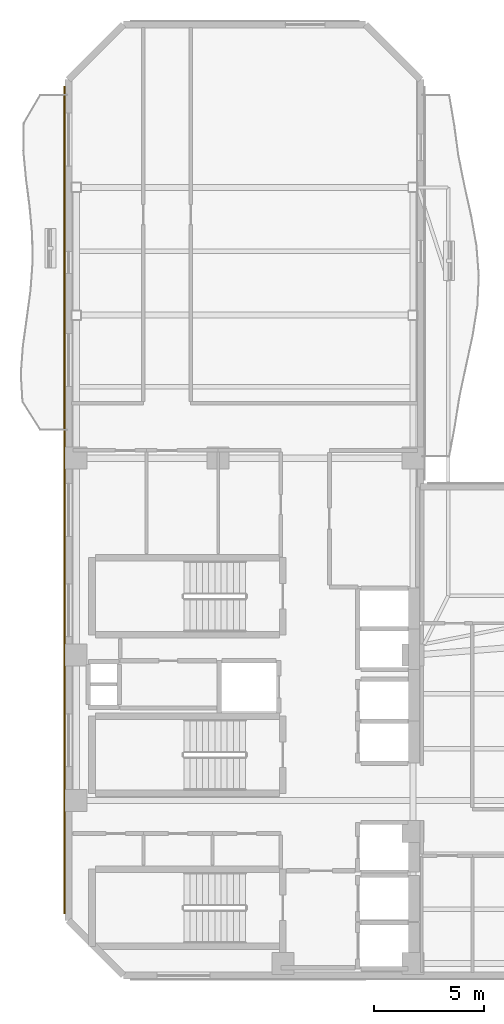
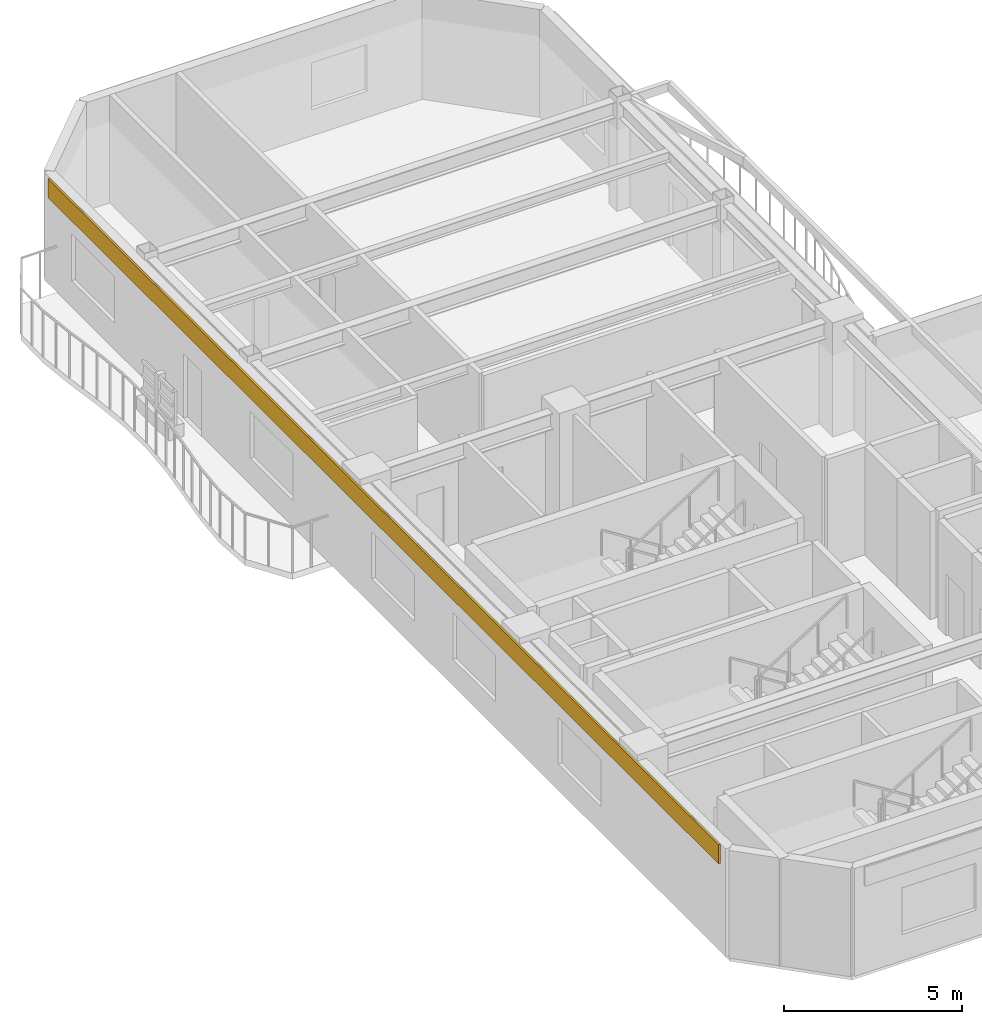
# One storey, part 9 of 11: 1 covering.
"""IFC4 building model written with IfcOpenShell, lengths in metres."""

from ifc_helpers import new_model, si_unit, direction, frame, origin, origin_2d, place, context, subcontext, project, spatial, rectangle, extrude, material, layer, layer_set, type_object, element, save


model = new_model("IFC4")

# Units and contexts
model_context = context("Model", 3, precision=1e-05, world=origin(), true_north=direction((0.0, 1.0)))
body_context = subcontext(model_context, "Body", "Model", "MODEL_VIEW")
ifc_project = project(units=[si_unit("LENGTHUNIT", "METRE"), si_unit("AREAUNIT", "SQUARE_METRE"), si_unit("VOLUMEUNIT", "CUBIC_METRE"), si_unit("PLANEANGLEUNIT", "RADIAN"), si_unit("MASSUNIT", "GRAM", prefix="KILO")], contexts=[model_context])

# Site, building, storey
site_placement = place(None, origin())
site = spatial("IfcSite", under=ifc_project, at=site_placement, CompositionType="ELEMENT")
building_placement = place(site_placement, origin())
building = spatial("IfcBuilding", under=site, at=building_placement, Name="Mawjaban Terraces University", CompositionType="ELEMENT")
storey_placement = place(building_placement, frame((0.0, 0.0, 214.800048828125)))
storey = spatial("IfcBuildingStorey", under=building, at=storey_placement, Name="L52", CompositionType="ELEMENT", Elevation=214.800048828125)

# Covering
ifc_material = material(Name="Glazed architectural terracotta rainscreen", Category="masonry")
ifc_layer = layer(ifc_material, 0.06005859375)
ifc_layer_set = layer_set([ifc_layer], Name="Glazed architectural terracotta rainscreen")
covering_type = type_object("IfcCoveringType", Name="TerracottaSpandrelCladding_60", PredefinedType="CLADDING", material=ifc_layer_set)
covering_placement = place(storey_placement, frame((21.824951171875, 21.60009765625, 3.014892578125), z_axis=(0.0, 0.0, 1.0), x_axis=(0.0, -1.0, 0.0)))
element("IfcCovering", 1, at=covering_placement, inside=storey, type_object=covering_type, Name="L52 Terracotta Spandrel Cladding 13", PredefinedType="CLADDING", context=body_context, shape_type="SweptSolid", body=[
    extrude(rectangle(XDim=37.60009765625, YDim=0.06005859375, at=origin_2d()), origin(), (0.0, 0.0, 1.0), 0.64990234375),
])

save(model, "model.ifc")
